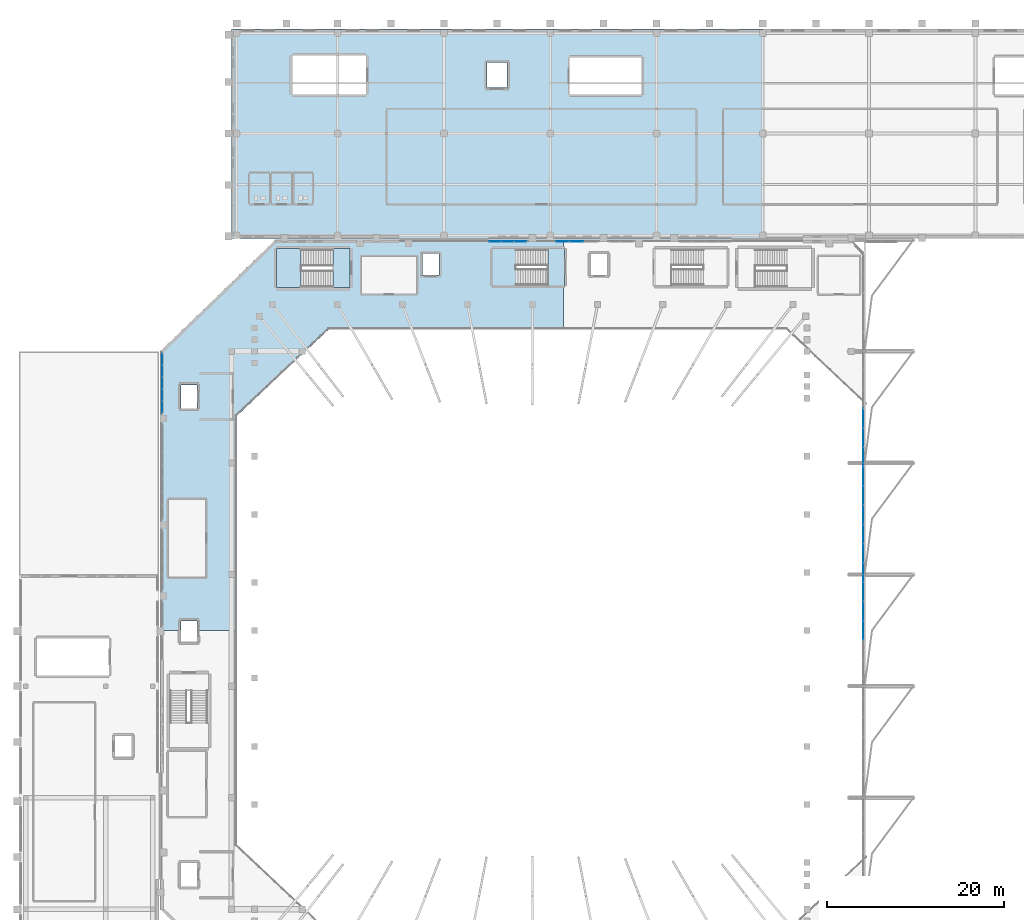
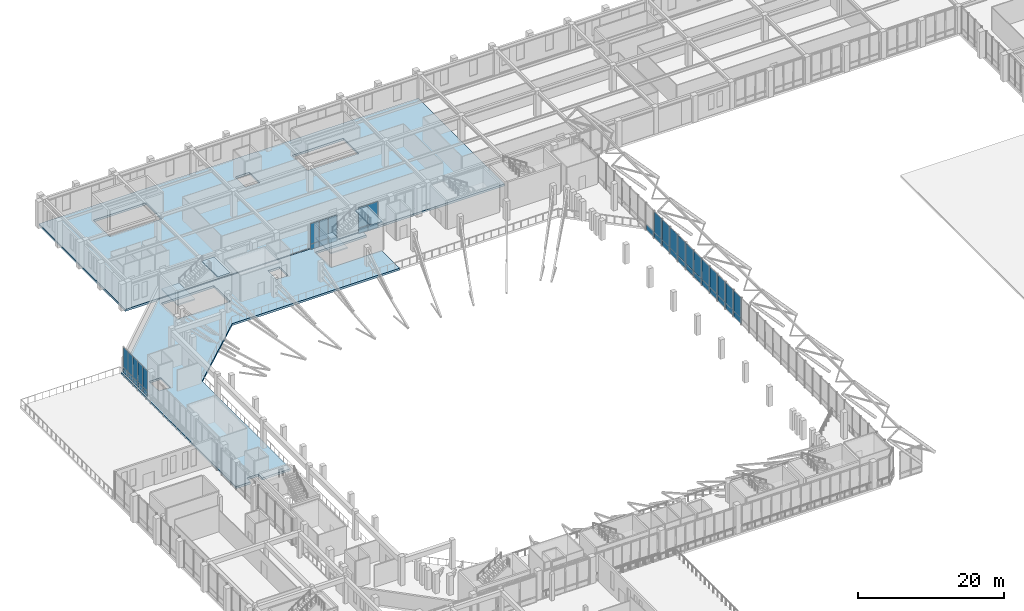
# One storey, part 47 of 79: 43 plates, 6 slabs, 6 elements without a shape of their own.
"""IFC4 building model written with IfcOpenShell, lengths in metres."""

from ifc_helpers import new_model, si_unit, derived_unit, direction, frame, origin, origin_2d, place, context, subcontext, project, spatial, polyline, rectangle, outline, extrude, material, layer, layer_set, type_object, element, aggregate, save


model = new_model("IFC4")

# Units and contexts
model_context = context("Model", 3, precision=1e-05, world=origin(), true_north=direction((0.0, 1.0)))
body_context = subcontext(model_context, "Body", "Model", "MODEL_VIEW")
ifc_project = project(units=[si_unit("LENGTHUNIT", "METRE"), si_unit("AREAUNIT", "SQUARE_METRE"), si_unit("VOLUMEUNIT", "CUBIC_METRE"), si_unit("PLANEANGLEUNIT", "RADIAN"), si_unit("MASSUNIT", "GRAM", prefix="KILO"), derived_unit("THERMALTRANSMITTANCEUNIT", [(si_unit("MASSUNIT", "GRAM", prefix="KILO"), 1), (si_unit("TIMEUNIT", "SECOND"), -3), (si_unit("THERMODYNAMICTEMPERATUREUNIT", "KELVIN"), -1)])], contexts=[model_context])

# Site, building, storey
site_placement = place(None, origin())
site = spatial("IfcSite", under=ifc_project, at=site_placement, CompositionType="ELEMENT")
building_placement = place(site_placement, origin())
building = spatial("IfcBuilding", under=site, at=building_placement, Name="Valcora Ridge Arena", CompositionType="ELEMENT")
storey_placement = place(building_placement, frame((0.0, 0.0, 16.199951171875)))
storey = spatial("IfcBuildingStorey", under=building, at=storey_placement, Name="L03", CompositionType="ELEMENT", Elevation=16.199951171875)

# Stair, slabs
ifc_material_1 = material(Name="Concrete C40/50", Category="concrete")
stair_type_1 = type_object("IfcStairType", Name="TY-STAIR-ES03-48", PredefinedType="HALF_TURN_STAIR", material=ifc_material_1)
stair_1_placement = place(storey_placement, origin())
stair_1 = element("IfcStair", 1, at=stair_1_placement, inside=storey, type_object=stair_type_1, Name="ES03-48 STR-ES-0012", PredefinedType="HALF_TURN_STAIR")
ifc_layer_1 = layer(ifc_material_1, 0.199951171875, Name="Concrete C40/50")
ifc_layer_set_1 = layer_set([ifc_layer_1], Name="Concrete C40/50")
slab_type_1 = type_object("IfcSlabType", Name="TY-LAND-ES03-48", PredefinedType="LANDING", material=ifc_layer_set_1)
slab_1_placement = place(storey_placement, frame((0.0, 0.0, 2.199951171875)))
slab_1 = element("IfcSlab", 2, at=slab_1_placement, type_object=slab_type_1, Name="ES03-48 landing 1", PredefinedType="LANDING", context=body_context, shape_type="SweptSolid", body=[
    extrude(outline(polyline([(53.44189453125, 103.001953125), (56.1201171875, 103.001953125), (56.1201171875, 107.197998046875), (53.44189453125, 107.197998046875), (53.44189453125, 103.001953125)])), origin(), (0.0, 0.0, 1.0), 0.2001953125),
])
slab_2_placement = place(storey_placement, frame((0.0, 0.0, 4.60009765625)))
slab_2 = element("IfcSlab", 3, at=slab_2_placement, type_object=slab_type_1, Name="ES03-48 landing 2", PredefinedType="LANDING", context=body_context, shape_type="SweptSolid", body=[
    extrude(outline(polyline([(59.719970703125, 103.001953125), (61.597900390625, 103.001953125), (61.597900390625, 107.197998046875), (59.719970703125, 107.197998046875), (59.719970703125, 103.001953125)])), origin(), (0.0, 0.0, 1.0), 0.199951171875),
])
aggregate(stair_1, [slab_1, slab_2])

stair_type_2 = type_object("IfcStairType", Name="TY-STAIR-ST03-48", PredefinedType="HALF_TURN_STAIR", material=ifc_material_1)
stair_2_placement = place(storey_placement, origin())
stair_2 = element("IfcStair", 4, at=stair_2_placement, inside=storey, type_object=stair_type_2, Name="ST03-48 STR-CR-0016", PredefinedType="HALF_TURN_STAIR")
ifc_layer_2 = layer(ifc_material_1, 0.199951171875, Name="Concrete C40/50")
ifc_layer_set_2 = layer_set([ifc_layer_2], Name="Concrete C40/50")
slab_type_2 = type_object("IfcSlabType", Name="TY-LAND-ST03-48", PredefinedType="LANDING", material=ifc_layer_set_2)
slab_3_placement = place(storey_placement, frame((0.0, 0.0, 2.199951171875)))
slab_3 = element("IfcSlab", 5, at=slab_3_placement, type_object=slab_type_2, Name="ST03-48 landing 1", PredefinedType="LANDING", context=body_context, shape_type="SweptSolid", body=[
    extrude(outline(polyline([(29.08203125, 102.802001953125), (31.8701171875, 102.802001953125), (31.8701171875, 107.197998046875), (29.08203125, 107.197998046875), (29.08203125, 102.802001953125)])), origin(), (0.0, 0.0, 1.0), 0.2001953125),
])
slab_4_placement = place(storey_placement, frame((0.0, 0.0, 4.60009765625)))
slab_4 = element("IfcSlab", 6, at=slab_4_placement, type_object=slab_type_2, Name="ST03-48 landing 2", PredefinedType="LANDING", context=body_context, shape_type="SweptSolid", body=[
    extrude(outline(polyline([(35.469970703125, 102.802001953125), (37.39794921875, 102.802001953125), (37.39794921875, 107.197998046875), (35.469970703125, 107.197998046875), (35.469970703125, 102.802001953125)])), origin(), (0.0, 0.0, 1.0), 0.199951171875),
])
aggregate(stair_2, [slab_3, slab_4])

# Curtain wall, plates
ifc_material_2 = material(Name="Anodised dark bronze architectural aluminium 6063-T6", Category="aluminium")
ifc_layer_3 = layer(ifc_material_2, 0.179931640625, Name="Anodised dark bronze architectural aluminium 6063-T6")
ifc_layer_set_3 = layer_set([ifc_layer_3], Name="Anodised dark bronze architectural aluminium 6063-T6")
curtain_wall_type_1 = type_object("IfcCurtainWallType", Name="TY-CURTAINWALL-CW-V1-GOTH-068X44", PredefinedType="NOTDEFINED", material=ifc_layer_set_3)
curtain_wall_1_placement = place(storey_placement, origin())
curtain_wall_1 = element("IfcCurtainWall", 7, at=curtain_wall_1_placement, inside=storey, type_object=curtain_wall_type_1, Name="CW-V1-GOTH-068X44 CW-0135", PredefinedType="NOTDEFINED")
ifc_material_3 = material(Name="Low-iron solar-control double glazing SHGC 0.28", Category="glass")
ifc_layer_4 = layer(ifc_material_3, 0.031982421875, Name="Low-iron solar-control double glazing SHGC 0.28")
ifc_layer_set_4 = layer_set([ifc_layer_4], Name="Low-iron solar-control double glazing SHGC 0.28")
plate_type_1 = type_object("IfcPlateType", Name="TY-PLT-CWP-1262X0860", PredefinedType="CURTAIN_PANEL", material=ifc_layer_set_4)
plate_1_placement = place(storey_placement, frame((16.199951171875, 89.3310546875, 0.06005859375), z_axis=(0.0, 0.0, 1.0), x_axis=(0.0, 1.0, 0.0)))
plate_1 = element("IfcPlate", 8, at=plate_1_placement, type_object=plate_type_1, Name="CW-0135/P00-00", PredefinedType="CURTAIN_PANEL", context=body_context, shape_type="SweptSolid", body=[
    extrude(rectangle(XDim=1.261962890625, YDim=0.031982421875, at=origin_2d()), origin(), (0.0, 0.0, 1.0), 0.860107421875),
])
plate_2_placement = place(storey_placement, frame((16.199951171875, 94.708984375, 0.06005859375), z_axis=(0.0, 0.0, 1.0), x_axis=(0.0, 1.0, 0.0)))
plate_2 = element("IfcPlate", 9, at=plate_2_placement, type_object=plate_type_1, Name="CW-0135/P04-00", PredefinedType="CURTAIN_PANEL", context=body_context, shape_type="SweptSolid", body=[
    extrude(rectangle(XDim=1.261962890625, YDim=0.031982421875, at=origin_2d()), origin(), (0.0, 0.0, 1.0), 0.860107421875),
])
ifc_layer_5 = layer(ifc_material_3, 0.031982421875, Name="Low-iron solar-control double glazing SHGC 0.28")
ifc_layer_set_5 = layer_set([ifc_layer_5], Name="Low-iron solar-control double glazing SHGC 0.28")
plate_type_2 = type_object("IfcPlateType", Name="TY-PLT-CWP-1262X3400", PredefinedType="CURTAIN_PANEL", material=ifc_layer_set_5)
plate_3_placement = place(storey_placement, frame((16.199951171875, 89.3310546875, 0.97998046875), z_axis=(0.0, 0.0, 1.0), x_axis=(0.0, 1.0, 0.0)))
plate_3 = element("IfcPlate", 10, at=plate_3_placement, type_object=plate_type_2, Name="CW-0135/P00-01", PredefinedType="CURTAIN_PANEL", context=body_context, shape_type="SweptSolid", body=[
    extrude(rectangle(XDim=1.261962890625, YDim=0.031982421875, at=origin_2d()), origin(), (0.0, 0.0, 1.0), 3.39990234375),
])
plate_4_placement = place(storey_placement, frame((16.199951171875, 94.708984375, 0.97998046875), z_axis=(0.0, 0.0, 1.0), x_axis=(0.0, 1.0, 0.0)))
plate_4 = element("IfcPlate", 11, at=plate_4_placement, type_object=plate_type_2, Name="CW-0135/P04-01", PredefinedType="CURTAIN_PANEL", context=body_context, shape_type="SweptSolid", body=[
    extrude(rectangle(XDim=1.261962890625, YDim=0.031982421875, at=origin_2d()), origin(), (0.0, 0.0, 1.0), 3.39990234375),
])
ifc_layer_6 = layer(ifc_material_3, 0.031982421875, Name="Low-iron solar-control double glazing SHGC 0.28")
ifc_layer_set_6 = layer_set([ifc_layer_6], Name="Low-iron solar-control double glazing SHGC 0.28")
plate_type_3 = type_object("IfcPlateType", Name="TY-PLT-CWP-1292X0860", PredefinedType="CURTAIN_PANEL", material=ifc_layer_set_6)
plate_5_placement = place(storey_placement, frame((16.199951171875, 90.66796875, 0.06005859375), z_axis=(0.0, 0.0, 1.0), x_axis=(0.0, 1.0, 0.0)))
plate_5 = element("IfcPlate", 12, at=plate_5_placement, type_object=plate_type_3, Name="CW-0135/P01-00", PredefinedType="CURTAIN_PANEL", context=body_context, shape_type="SweptSolid", body=[
    extrude(rectangle(XDim=1.2919921875, YDim=0.031982421875, at=origin_2d()), origin(), (0.0, 0.0, 1.0), 0.860107421875),
])
plate_6_placement = place(storey_placement, frame((16.199951171875, 92.02001953125, 0.06005859375), z_axis=(0.0, 0.0, 1.0), x_axis=(0.0, 1.0, 0.0)))
plate_6 = element("IfcPlate", 13, at=plate_6_placement, type_object=plate_type_3, Name="CW-0135/P02-00", PredefinedType="CURTAIN_PANEL", context=body_context, shape_type="SweptSolid", body=[
    extrude(rectangle(XDim=1.2919921875, YDim=0.031982421875, at=origin_2d()), origin(), (0.0, 0.0, 1.0), 0.860107421875),
])
plate_7_placement = place(storey_placement, frame((16.199951171875, 93.3720703125, 0.06005859375), z_axis=(0.0, 0.0, 1.0), x_axis=(0.0, 1.0, 0.0)))
plate_7 = element("IfcPlate", 14, at=plate_7_placement, type_object=plate_type_3, Name="CW-0135/P03-00", PredefinedType="CURTAIN_PANEL", context=body_context, shape_type="SweptSolid", body=[
    extrude(rectangle(XDim=1.2919921875, YDim=0.031982421875, at=origin_2d()), origin(), (0.0, 0.0, 1.0), 0.860107421875),
])
ifc_layer_7 = layer(ifc_material_3, 0.031982421875, Name="Low-iron solar-control double glazing SHGC 0.28")
ifc_layer_set_7 = layer_set([ifc_layer_7], Name="Low-iron solar-control double glazing SHGC 0.28")
plate_type_4 = type_object("IfcPlateType", Name="TY-PLT-CWP-1292X3400", PredefinedType="CURTAIN_PANEL", material=ifc_layer_set_7)
plate_8_placement = place(storey_placement, frame((16.199951171875, 90.66796875, 0.97998046875), z_axis=(0.0, 0.0, 1.0), x_axis=(0.0, 1.0, 0.0)))
plate_8 = element("IfcPlate", 15, at=plate_8_placement, type_object=plate_type_4, Name="CW-0135/P01-01", PredefinedType="CURTAIN_PANEL", context=body_context, shape_type="SweptSolid", body=[
    extrude(rectangle(XDim=1.2919921875, YDim=0.031982421875, at=origin_2d()), origin(), (0.0, 0.0, 1.0), 3.39990234375),
])
plate_9_placement = place(storey_placement, frame((16.199951171875, 92.02001953125, 0.97998046875), z_axis=(0.0, 0.0, 1.0), x_axis=(0.0, 1.0, 0.0)))
plate_9 = element("IfcPlate", 16, at=plate_9_placement, type_object=plate_type_4, Name="CW-0135/P02-01", PredefinedType="CURTAIN_PANEL", context=body_context, shape_type="SweptSolid", body=[
    extrude(rectangle(XDim=1.2919921875, YDim=0.031982421875, at=origin_2d()), origin(), (0.0, 0.0, 1.0), 3.39990234375),
])
plate_10_placement = place(storey_placement, frame((16.199951171875, 93.3720703125, 0.97998046875), z_axis=(0.0, 0.0, 1.0), x_axis=(0.0, 1.0, 0.0)))
plate_10 = element("IfcPlate", 17, at=plate_10_placement, type_object=plate_type_4, Name="CW-0135/P03-01", PredefinedType="CURTAIN_PANEL", context=body_context, shape_type="SweptSolid", body=[
    extrude(rectangle(XDim=1.2919921875, YDim=0.031982421875, at=origin_2d()), origin(), (0.0, 0.0, 1.0), 3.39990234375),
])
aggregate(curtain_wall_1, [plate_1, plate_3, plate_5, plate_8, plate_6, plate_9, plate_7, plate_10, plate_2, plate_4])

ifc_layer_8 = layer(ifc_material_2, 0.179931640625, Name="Anodised dark bronze architectural aluminium 6063-T6")
ifc_layer_set_8 = layer_set([ifc_layer_8], Name="Anodised dark bronze architectural aluminium 6063-T6")
curtain_wall_type_2 = type_object("IfcCurtainWallType", Name="TY-CURTAINWALL-CW-V1-GOTH-043X44", PredefinedType="NOTDEFINED", material=ifc_layer_set_8)
curtain_wall_2_placement = place(storey_placement, origin())
curtain_wall_2 = element("IfcCurtainWall", 18, at=curtain_wall_2_placement, inside=storey, type_object=curtain_wall_type_2, Name="CW-V1-GOTH-043X44 CW-0142", PredefinedType="NOTDEFINED")
ifc_layer_9 = layer(ifc_material_3, 0.031982421875, Name="Low-iron solar-control double glazing SHGC 0.28")
ifc_layer_set_9 = layer_set([ifc_layer_9], Name="Low-iron solar-control double glazing SHGC 0.28")
plate_type_5 = type_object("IfcPlateType", Name="TY-PLT-CWP-1347X0860", PredefinedType="CURTAIN_PANEL", material=ifc_layer_set_9)
plate_11_placement = place(storey_placement, frame((53.783447265625, 108.0, 0.06005859375), z_axis=(0.0, 0.0, 1.0), x_axis=(1.0, 0.0, 0.0)))
plate_11 = element("IfcPlate", 19, at=plate_11_placement, type_object=plate_type_5, Name="CW-0142/P00-00", PredefinedType="CURTAIN_PANEL", context=body_context, shape_type="SweptSolid", body=[
    extrude(rectangle(XDim=1.346923828125, YDim=0.031982421875, at=origin_2d()), origin(), (0.0, 0.0, 1.0), 0.860107421875),
])
plate_12_placement = place(storey_placement, frame((56.62646484375, 108.0, 0.06005859375), z_axis=(0.0, 0.0, 1.0), x_axis=(1.0, 0.0, 0.0)))
plate_12 = element("IfcPlate", 20, at=plate_12_placement, type_object=plate_type_5, Name="CW-0142/P02-00", PredefinedType="CURTAIN_PANEL", context=body_context, shape_type="SweptSolid", body=[
    extrude(rectangle(XDim=1.346923828125, YDim=0.031982421875, at=origin_2d()), origin(), (0.0, 0.0, 1.0), 0.860107421875),
])
ifc_layer_10 = layer(ifc_material_3, 0.031982421875, Name="Low-iron solar-control double glazing SHGC 0.28")
ifc_layer_set_10 = layer_set([ifc_layer_10], Name="Low-iron solar-control double glazing SHGC 0.28")
plate_type_6 = type_object("IfcPlateType", Name="TY-PLT-CWP-1347X3400", PredefinedType="CURTAIN_PANEL", material=ifc_layer_set_10)
plate_13_placement = place(storey_placement, frame((53.783447265625, 108.0, 0.97998046875), z_axis=(0.0, 0.0, 1.0), x_axis=(1.0, 0.0, 0.0)))
plate_13 = element("IfcPlate", 21, at=plate_13_placement, type_object=plate_type_6, Name="CW-0142/P00-01", PredefinedType="CURTAIN_PANEL", context=body_context, shape_type="SweptSolid", body=[
    extrude(rectangle(XDim=1.346923828125, YDim=0.031982421875, at=origin_2d()), origin(), (0.0, 0.0, 1.0), 3.39990234375),
])
plate_14_placement = place(storey_placement, frame((56.62646484375, 108.0, 0.97998046875), z_axis=(0.0, 0.0, 1.0), x_axis=(1.0, 0.0, 0.0)))
plate_14 = element("IfcPlate", 22, at=plate_14_placement, type_object=plate_type_6, Name="CW-0142/P02-01", PredefinedType="CURTAIN_PANEL", context=body_context, shape_type="SweptSolid", body=[
    extrude(rectangle(XDim=1.346923828125, YDim=0.031982421875, at=origin_2d()), origin(), (0.0, 0.0, 1.0), 3.39990234375),
])
ifc_layer_11 = layer(ifc_material_3, 0.031982421875, Name="Low-iron solar-control double glazing SHGC 0.28")
ifc_layer_set_11 = layer_set([ifc_layer_11], Name="Low-iron solar-control double glazing SHGC 0.28")
plate_type_7 = type_object("IfcPlateType", Name="TY-PLT-CWP-1376X0860", PredefinedType="CURTAIN_PANEL", material=ifc_layer_set_11)
plate_15_placement = place(storey_placement, frame((55.205078125, 108.0, 0.06005859375), z_axis=(0.0, 0.0, 1.0), x_axis=(1.0, 0.0, 0.0)))
plate_15 = element("IfcPlate", 23, at=plate_15_placement, type_object=plate_type_7, Name="CW-0142/P01-00", PredefinedType="CURTAIN_PANEL", context=body_context, shape_type="SweptSolid", body=[
    extrude(rectangle(XDim=1.3759765625, YDim=0.031982421875, at=origin_2d()), origin(), (0.0, 0.0, 1.0), 0.860107421875),
])
ifc_layer_12 = layer(ifc_material_3, 0.031982421875, Name="Low-iron solar-control double glazing SHGC 0.28")
ifc_layer_set_12 = layer_set([ifc_layer_12], Name="Low-iron solar-control double glazing SHGC 0.28")
plate_type_8 = type_object("IfcPlateType", Name="TY-PLT-CWP-1376X3400", PredefinedType="CURTAIN_PANEL", material=ifc_layer_set_12)
plate_16_placement = place(storey_placement, frame((55.205078125, 108.0, 0.97998046875), z_axis=(0.0, 0.0, 1.0), x_axis=(1.0, 0.0, 0.0)))
plate_16 = element("IfcPlate", 24, at=plate_16_placement, type_object=plate_type_8, Name="CW-0142/P01-01", PredefinedType="CURTAIN_PANEL", context=body_context, shape_type="SweptSolid", body=[
    extrude(rectangle(XDim=1.3759765625, YDim=0.031982421875, at=origin_2d()), origin(), (0.0, 0.0, 1.0), 3.39990234375),
])
aggregate(curtain_wall_2, [plate_11, plate_13, plate_15, plate_16, plate_12, plate_14])

ifc_layer_13 = layer(ifc_material_2, 0.179931640625, Name="Anodised dark bronze architectural aluminium 6063-T6")
ifc_layer_set_13 = layer_set([ifc_layer_13], Name="Anodised dark bronze architectural aluminium 6063-T6")
curtain_wall_type_3 = type_object("IfcCurtainWallType", Name="TY-CURTAINWALL-CW-V1-GOTH-047X44", PredefinedType="NOTDEFINED", material=ifc_layer_set_13)
curtain_wall_3_placement = place(storey_placement, origin())
curtain_wall_3 = element("IfcCurtainWall", 25, at=curtain_wall_3_placement, inside=storey, type_object=curtain_wall_type_3, Name="CW-V1-GOTH-047X44 CW-0143", PredefinedType="NOTDEFINED")
ifc_layer_14 = layer(ifc_material_3, 0.031982421875, Name="Low-iron solar-control double glazing SHGC 0.28")
ifc_layer_set_14 = layer_set([ifc_layer_14], Name="Low-iron solar-control double glazing SHGC 0.28")
plate_type_9 = type_object("IfcPlateType", Name="TY-PLT-CWP-1492X0860", PredefinedType="CURTAIN_PANEL", material=ifc_layer_set_14)
plate_17_placement = place(storey_placement, frame((61.4208984375, 108.0, 0.06005859375), z_axis=(0.0, 0.0, 1.0), x_axis=(1.0, 0.0, 0.0)))
plate_17 = element("IfcPlate", 26, at=plate_17_placement, type_object=plate_type_9, Name="CW-0143/P00-00", PredefinedType="CURTAIN_PANEL", context=body_context, shape_type="SweptSolid", body=[
    extrude(rectangle(XDim=1.491943359375, YDim=0.031982421875, at=origin_2d()), origin(), (0.0, 0.0, 1.0), 0.860107421875),
])
ifc_layer_15 = layer(ifc_material_3, 0.031982421875, Name="Low-iron solar-control double glazing SHGC 0.28")
ifc_layer_set_15 = layer_set([ifc_layer_15], Name="Low-iron solar-control double glazing SHGC 0.28")
plate_type_10 = type_object("IfcPlateType", Name="TY-PLT-CWP-1492X3400", PredefinedType="CURTAIN_PANEL", material=ifc_layer_set_15)
plate_18_placement = place(storey_placement, frame((61.4208984375, 108.0, 0.97998046875), z_axis=(0.0, 0.0, 1.0), x_axis=(1.0, 0.0, 0.0)))
plate_18 = element("IfcPlate", 27, at=plate_18_placement, type_object=plate_type_10, Name="CW-0143/P00-01", PredefinedType="CURTAIN_PANEL", context=body_context, shape_type="SweptSolid", body=[
    extrude(rectangle(XDim=1.491943359375, YDim=0.031982421875, at=origin_2d()), origin(), (0.0, 0.0, 1.0), 3.39990234375),
])
ifc_layer_16 = layer(ifc_material_3, 0.031982421875, Name="Low-iron solar-control double glazing SHGC 0.28")
ifc_layer_set_16 = layer_set([ifc_layer_16], Name="Low-iron solar-control double glazing SHGC 0.28")
plate_type_11 = type_object("IfcPlateType", Name="TY-PLT-CWP-1521X0860", PredefinedType="CURTAIN_PANEL", material=ifc_layer_set_16)
plate_19_placement = place(storey_placement, frame((62.987548828125, 108.0, 0.06005859375), z_axis=(0.0, 0.0, 1.0), x_axis=(1.0, 0.0, 0.0)))
plate_19 = element("IfcPlate", 28, at=plate_19_placement, type_object=plate_type_11, Name="CW-0143/P01-00", PredefinedType="CURTAIN_PANEL", context=body_context, shape_type="SweptSolid", body=[
    extrude(rectangle(XDim=1.52099609375, YDim=0.031982421875, at=origin_2d()), origin(), (0.0, 0.0, 1.0), 0.860107421875),
])
ifc_layer_17 = layer(ifc_material_3, 0.031982421875, Name="Low-iron solar-control double glazing SHGC 0.28")
ifc_layer_set_17 = layer_set([ifc_layer_17], Name="Low-iron solar-control double glazing SHGC 0.28")
plate_type_12 = type_object("IfcPlateType", Name="TY-PLT-CWP-1521X3400", PredefinedType="CURTAIN_PANEL", material=ifc_layer_set_17)
plate_20_placement = place(storey_placement, frame((62.987548828125, 108.0, 0.97998046875), z_axis=(0.0, 0.0, 1.0), x_axis=(1.0, 0.0, 0.0)))
plate_20 = element("IfcPlate", 29, at=plate_20_placement, type_object=plate_type_12, Name="CW-0143/P01-01", PredefinedType="CURTAIN_PANEL", context=body_context, shape_type="SweptSolid", body=[
    extrude(rectangle(XDim=1.52099609375, YDim=0.031982421875, at=origin_2d()), origin(), (0.0, 0.0, 1.0), 3.39990234375),
])
aggregate(curtain_wall_3, [plate_17, plate_18, plate_19, plate_20])

ifc_layer_18 = layer(ifc_material_2, 0.14990234375, Name="Anodised dark bronze architectural aluminium 6063-T6")
ifc_layer_set_18 = layer_set([ifc_layer_18], Name="Anodised dark bronze architectural aluminium 6063-T6")
curtain_wall_type_4 = type_object("IfcCurtainWallType", Name="TY-CURTAINWALL-CW-V1-EAST-849X44", PredefinedType="NOTDEFINED", material=ifc_layer_set_18)
curtain_wall_4_placement = place(storey_placement, origin())
curtain_wall_4 = element("IfcCurtainWall", 30, at=curtain_wall_4_placement, inside=storey, type_object=curtain_wall_type_4, Name="CW-V1-EAST-849X44 CW-0147", PredefinedType="NOTDEFINED")
ifc_layer_19 = layer(ifc_material_3, 0.028076171875, Name="Low-iron solar-control double glazing SHGC 0.28")
ifc_layer_set_19 = layer_set([ifc_layer_19], Name="Low-iron solar-control double glazing SHGC 0.28")
plate_type_13 = type_object("IfcPlateType", Name="TY-PLT-CWP-2126X0875", PredefinedType="CURTAIN_PANEL", material=ifc_layer_set_19)
plate_21_placement = place(storey_placement, frame((95.35009765625, 66.27685546875, 0.050048828125), z_axis=(0.0, 0.0, 1.0), x_axis=(0.0, 1.0, 0.0)))
plate_21 = element("IfcPlate", 31, at=plate_21_placement, type_object=plate_type_13, Name="CW-0147/P20-00", PredefinedType="CURTAIN_PANEL", context=body_context, shape_type="SweptSolid", body=[
    extrude(rectangle(XDim=2.1259765625, YDim=0.028076171875, at=origin_2d()), origin(), (0.0, 0.0, 1.0), 0.875),
])
plate_22_placement = place(storey_placement, frame((95.35009765625, 72.806884765625, 0.050048828125), z_axis=(0.0, 0.0, 1.0), x_axis=(0.0, 1.0, 0.0)))
plate_22 = element("IfcPlate", 32, at=plate_22_placement, type_object=plate_type_13, Name="CW-0147/P23-00", PredefinedType="CURTAIN_PANEL", context=body_context, shape_type="SweptSolid", body=[
    extrude(rectangle(XDim=2.1259765625, YDim=0.028076171875, at=origin_2d()), origin(), (0.0, 0.0, 1.0), 0.875),
])
plate_23_placement = place(storey_placement, frame((95.35009765625, 81.513916015625, 0.050048828125), z_axis=(0.0, 0.0, 1.0), x_axis=(0.0, 1.0, 0.0)))
plate_23 = element("IfcPlate", 33, at=plate_23_placement, type_object=plate_type_13, Name="CW-0147/P27-00", PredefinedType="CURTAIN_PANEL", context=body_context, shape_type="SweptSolid", body=[
    extrude(rectangle(XDim=2.1259765625, YDim=0.028076171875, at=origin_2d()), origin(), (0.0, 0.0, 1.0), 0.875),
])
ifc_layer_20 = layer(ifc_material_3, 0.028076171875, Name="Low-iron solar-control double glazing SHGC 0.28")
ifc_layer_set_20 = layer_set([ifc_layer_20], Name="Low-iron solar-control double glazing SHGC 0.28")
plate_type_14 = type_object("IfcPlateType", Name="TY-PLT-CWP-2126X3415", PredefinedType="CURTAIN_PANEL", material=ifc_layer_set_20)
plate_24_placement = place(storey_placement, frame((95.35009765625, 66.27685546875, 0.97509765625), z_axis=(0.0, 0.0, 1.0), x_axis=(0.0, 1.0, 0.0)))
plate_24 = element("IfcPlate", 34, at=plate_24_placement, type_object=plate_type_14, Name="CW-0147/P20-01", PredefinedType="CURTAIN_PANEL", context=body_context, shape_type="SweptSolid", body=[
    extrude(rectangle(XDim=2.1259765625, YDim=0.028076171875, at=origin_2d()), origin(), (0.0, 0.0, 1.0), 3.4150390625),
])
plate_25_placement = place(storey_placement, frame((95.35009765625, 72.806884765625, 0.97509765625), z_axis=(0.0, 0.0, 1.0), x_axis=(0.0, 1.0, 0.0)))
plate_25 = element("IfcPlate", 35, at=plate_25_placement, type_object=plate_type_14, Name="CW-0147/P23-01", PredefinedType="CURTAIN_PANEL", context=body_context, shape_type="SweptSolid", body=[
    extrude(rectangle(XDim=2.1259765625, YDim=0.028076171875, at=origin_2d()), origin(), (0.0, 0.0, 1.0), 3.4150390625),
])
plate_26_placement = place(storey_placement, frame((95.35009765625, 81.513916015625, 0.97509765625), z_axis=(0.0, 0.0, 1.0), x_axis=(0.0, 1.0, 0.0)))
plate_26 = element("IfcPlate", 36, at=plate_26_placement, type_object=plate_type_14, Name="CW-0147/P27-01", PredefinedType="CURTAIN_PANEL", context=body_context, shape_type="SweptSolid", body=[
    extrude(rectangle(XDim=2.1259765625, YDim=0.028076171875, at=origin_2d()), origin(), (0.0, 0.0, 1.0), 3.4150390625),
])
ifc_layer_21 = layer(ifc_material_3, 0.028076171875, Name="Low-iron solar-control double glazing SHGC 0.28")
ifc_layer_set_21 = layer_set([ifc_layer_21], Name="Low-iron solar-control double glazing SHGC 0.28")
plate_type_15 = type_object("IfcPlateType", Name="TY-PLT-CWP-2127X0875", PredefinedType="CURTAIN_PANEL", material=ifc_layer_set_21)
plate_27_placement = place(storey_placement, frame((95.35009765625, 64.100341796875, 0.050048828125), z_axis=(0.0, 0.0, 1.0), x_axis=(0.0, 1.0, 0.0)))
plate_27 = element("IfcPlate", 37, at=plate_27_placement, type_object=plate_type_15, Name="CW-0147/P19-00", PredefinedType="CURTAIN_PANEL", context=body_context, shape_type="SweptSolid", body=[
    extrude(rectangle(XDim=2.126953125, YDim=0.028076171875, at=origin_2d()), origin(), (0.0, 0.0, 1.0), 0.875),
])
plate_28_placement = place(storey_placement, frame((95.35009765625, 68.453369140625, 0.050048828125), z_axis=(0.0, 0.0, 1.0), x_axis=(0.0, 1.0, 0.0)))
plate_28 = element("IfcPlate", 38, at=plate_28_placement, type_object=plate_type_15, Name="CW-0147/P21-00", PredefinedType="CURTAIN_PANEL", context=body_context, shape_type="SweptSolid", body=[
    extrude(rectangle(XDim=2.126953125, YDim=0.028076171875, at=origin_2d()), origin(), (0.0, 0.0, 1.0), 0.875),
])
plate_29_placement = place(storey_placement, frame((95.35009765625, 70.63037109375, 0.050048828125), z_axis=(0.0, 0.0, 1.0), x_axis=(0.0, 1.0, 0.0)))
plate_29 = element("IfcPlate", 39, at=plate_29_placement, type_object=plate_type_15, Name="CW-0147/P22-00", PredefinedType="CURTAIN_PANEL", context=body_context, shape_type="SweptSolid", body=[
    extrude(rectangle(XDim=2.126953125, YDim=0.028076171875, at=origin_2d()), origin(), (0.0, 0.0, 1.0), 0.875),
])
plate_30_placement = place(storey_placement, frame((95.35009765625, 74.9833984375, 0.050048828125), z_axis=(0.0, 0.0, 1.0), x_axis=(0.0, 1.0, 0.0)))
plate_30 = element("IfcPlate", 40, at=plate_30_placement, type_object=plate_type_15, Name="CW-0147/P24-00", PredefinedType="CURTAIN_PANEL", context=body_context, shape_type="SweptSolid", body=[
    extrude(rectangle(XDim=2.126953125, YDim=0.028076171875, at=origin_2d()), origin(), (0.0, 0.0, 1.0), 0.875),
])
plate_31_placement = place(storey_placement, frame((95.35009765625, 77.160400390625, 0.050048828125), z_axis=(0.0, 0.0, 1.0), x_axis=(0.0, 1.0, 0.0)))
plate_31 = element("IfcPlate", 41, at=plate_31_placement, type_object=plate_type_15, Name="CW-0147/P25-00", PredefinedType="CURTAIN_PANEL", context=body_context, shape_type="SweptSolid", body=[
    extrude(rectangle(XDim=2.126953125, YDim=0.028076171875, at=origin_2d()), origin(), (0.0, 0.0, 1.0), 0.875),
])
plate_32_placement = place(storey_placement, frame((95.35009765625, 79.33740234375, 0.050048828125), z_axis=(0.0, 0.0, 1.0), x_axis=(0.0, 1.0, 0.0)))
plate_32 = element("IfcPlate", 42, at=plate_32_placement, type_object=plate_type_15, Name="CW-0147/P26-00", PredefinedType="CURTAIN_PANEL", context=body_context, shape_type="SweptSolid", body=[
    extrude(rectangle(XDim=2.126953125, YDim=0.028076171875, at=origin_2d()), origin(), (0.0, 0.0, 1.0), 0.875),
])
plate_33_placement = place(storey_placement, frame((95.35009765625, 83.690185546875, 0.050048828125), z_axis=(0.0, 0.0, 1.0), x_axis=(0.0, 1.0, 0.0)))
plate_33 = element("IfcPlate", 43, at=plate_33_placement, type_object=plate_type_15, Name="CW-0147/P28-00", PredefinedType="CURTAIN_PANEL", context=body_context, shape_type="SweptSolid", body=[
    extrude(rectangle(XDim=2.126953125, YDim=0.028076171875, at=origin_2d()), origin(), (0.0, 0.0, 1.0), 0.875),
])
plate_34_placement = place(storey_placement, frame((95.35009765625, 85.8671875, 0.050048828125), z_axis=(0.0, 0.0, 1.0), x_axis=(0.0, 1.0, 0.0)))
plate_34 = element("IfcPlate", 44, at=plate_34_placement, type_object=plate_type_15, Name="CW-0147/P29-00", PredefinedType="CURTAIN_PANEL", context=body_context, shape_type="SweptSolid", body=[
    extrude(rectangle(XDim=2.126953125, YDim=0.028076171875, at=origin_2d()), origin(), (0.0, 0.0, 1.0), 0.875),
])
plate_35_placement = place(storey_placement, frame((95.35009765625, 88.044189453125, 0.050048828125), z_axis=(0.0, 0.0, 1.0), x_axis=(0.0, 1.0, 0.0)))
plate_35 = element("IfcPlate", 45, at=plate_35_placement, type_object=plate_type_15, Name="CW-0147/P30-00", PredefinedType="CURTAIN_PANEL", context=body_context, shape_type="SweptSolid", body=[
    extrude(rectangle(XDim=2.126953125, YDim=0.028076171875, at=origin_2d()), origin(), (0.0, 0.0, 1.0), 0.875),
])
ifc_layer_22 = layer(ifc_material_3, 0.028076171875, Name="Low-iron solar-control double glazing SHGC 0.28")
ifc_layer_set_22 = layer_set([ifc_layer_22], Name="Low-iron solar-control double glazing SHGC 0.28")
plate_type_16 = type_object("IfcPlateType", Name="TY-PLT-CWP-2127X3415", PredefinedType="CURTAIN_PANEL", material=ifc_layer_set_22)
plate_36_placement = place(storey_placement, frame((95.35009765625, 64.100341796875, 0.97509765625), z_axis=(0.0, 0.0, 1.0), x_axis=(0.0, 1.0, 0.0)))
plate_36 = element("IfcPlate", 46, at=plate_36_placement, type_object=plate_type_16, Name="CW-0147/P19-01", PredefinedType="CURTAIN_PANEL", context=body_context, shape_type="SweptSolid", body=[
    extrude(rectangle(XDim=2.126953125, YDim=0.028076171875, at=origin_2d()), origin(), (0.0, 0.0, 1.0), 3.4150390625),
])
plate_37_placement = place(storey_placement, frame((95.35009765625, 68.453369140625, 0.97509765625), z_axis=(0.0, 0.0, 1.0), x_axis=(0.0, 1.0, 0.0)))
plate_37 = element("IfcPlate", 47, at=plate_37_placement, type_object=plate_type_16, Name="CW-0147/P21-01", PredefinedType="CURTAIN_PANEL", context=body_context, shape_type="SweptSolid", body=[
    extrude(rectangle(XDim=2.126953125, YDim=0.028076171875, at=origin_2d()), origin(), (0.0, 0.0, 1.0), 3.4150390625),
])
plate_38_placement = place(storey_placement, frame((95.35009765625, 70.63037109375, 0.97509765625), z_axis=(0.0, 0.0, 1.0), x_axis=(0.0, 1.0, 0.0)))
plate_38 = element("IfcPlate", 48, at=plate_38_placement, type_object=plate_type_16, Name="CW-0147/P22-01", PredefinedType="CURTAIN_PANEL", context=body_context, shape_type="SweptSolid", body=[
    extrude(rectangle(XDim=2.126953125, YDim=0.028076171875, at=origin_2d()), origin(), (0.0, 0.0, 1.0), 3.4150390625),
])
plate_39_placement = place(storey_placement, frame((95.35009765625, 74.9833984375, 0.97509765625), z_axis=(0.0, 0.0, 1.0), x_axis=(0.0, 1.0, 0.0)))
plate_39 = element("IfcPlate", 49, at=plate_39_placement, type_object=plate_type_16, Name="CW-0147/P24-01", PredefinedType="CURTAIN_PANEL", context=body_context, shape_type="SweptSolid", body=[
    extrude(rectangle(XDim=2.126953125, YDim=0.028076171875, at=origin_2d()), origin(), (0.0, 0.0, 1.0), 3.4150390625),
])
plate_40_placement = place(storey_placement, frame((95.35009765625, 77.160400390625, 0.97509765625), z_axis=(0.0, 0.0, 1.0), x_axis=(0.0, 1.0, 0.0)))
plate_40 = element("IfcPlate", 50, at=plate_40_placement, type_object=plate_type_16, Name="CW-0147/P25-01", PredefinedType="CURTAIN_PANEL", context=body_context, shape_type="SweptSolid", body=[
    extrude(rectangle(XDim=2.126953125, YDim=0.028076171875, at=origin_2d()), origin(), (0.0, 0.0, 1.0), 3.4150390625),
])
plate_41_placement = place(storey_placement, frame((95.35009765625, 79.33740234375, 0.97509765625), z_axis=(0.0, 0.0, 1.0), x_axis=(0.0, 1.0, 0.0)))
plate_41 = element("IfcPlate", 51, at=plate_41_placement, type_object=plate_type_16, Name="CW-0147/P26-01", PredefinedType="CURTAIN_PANEL", context=body_context, shape_type="SweptSolid", body=[
    extrude(rectangle(XDim=2.126953125, YDim=0.028076171875, at=origin_2d()), origin(), (0.0, 0.0, 1.0), 3.4150390625),
])
plate_42_placement = place(storey_placement, frame((95.35009765625, 83.690185546875, 0.97509765625), z_axis=(0.0, 0.0, 1.0), x_axis=(0.0, 1.0, 0.0)))
plate_42 = element("IfcPlate", 52, at=plate_42_placement, type_object=plate_type_16, Name="CW-0147/P28-01", PredefinedType="CURTAIN_PANEL", context=body_context, shape_type="SweptSolid", body=[
    extrude(rectangle(XDim=2.126953125, YDim=0.028076171875, at=origin_2d()), origin(), (0.0, 0.0, 1.0), 3.4150390625),
])
plate_43_placement = place(storey_placement, frame((95.35009765625, 85.8671875, 0.97509765625), z_axis=(0.0, 0.0, 1.0), x_axis=(0.0, 1.0, 0.0)))
plate_43 = element("IfcPlate", 53, at=plate_43_placement, type_object=plate_type_16, Name="CW-0147/P29-01", PredefinedType="CURTAIN_PANEL", context=body_context, shape_type="SweptSolid", body=[
    extrude(rectangle(XDim=2.126953125, YDim=0.028076171875, at=origin_2d()), origin(), (0.0, 0.0, 1.0), 3.4150390625),
])
aggregate(curtain_wall_4, [plate_27, plate_36, plate_21, plate_24, plate_28, plate_37, plate_29, plate_38, plate_22, plate_25, plate_30, plate_39, plate_31, plate_40, plate_32, plate_41, plate_23, plate_26, plate_33, plate_42, plate_34, plate_43, plate_35])

# Slabs
ifc_layer_23 = layer(ifc_material_1, 0.35009765625, Name="Concrete C40/50")
ifc_layer_set_23 = layer_set([ifc_layer_23], Name="Concrete C40/50")
slab_type_3 = type_object("IfcSlabType", Name="TY-SLAB-SL-SUIT-350-NW", PredefinedType="FLOOR", material=ifc_layer_set_23)
slab_5_placement = place(storey_placement, frame((0.0, 0.0, -0.349853515625)))
element("IfcSlab", 54, at=slab_5_placement, inside=storey, type_object=slab_type_3, Name="SL-SUIT-350-NW SLB-0043", PredefinedType="FLOOR", context=body_context, shape_type="SweptSolid", body=[
    extrude(outline(polyline([(16.0, 95.60009765625), (16.0, 64.10009765625), (18.280029296875, 64.10009765625), (18.280029296875, 65.169921875), (20.1201171875, 65.169921875), (20.1201171875, 64.10009765625), (24.60009765625, 64.10009765625), (24.60009765625, 88.300048828125), (35.0, 98.10009765625), (61.5, 98.10009765625), (61.5, 103.0), (53.43994140625, 103.0), (53.43994140625, 107.199951171875), (61.5, 107.199951171875), (61.5, 108.199951171875), (29.0, 108.199951171875), (16.0, 95.60009765625)]), holes=[polyline([(29.080078125, 107.199951171875), (29.080078125, 102.800048828125), (37.39990234375, 102.800048828125), (37.39990234375, 107.199951171875), (29.080078125, 107.199951171875)]), polyline([(18.280029296875, 91.820068359375), (18.280029296875, 89.179931640625), (20.1201171875, 89.179931640625), (20.1201171875, 91.820068359375), (18.280029296875, 91.820068359375)]), polyline([(47.419921875, 106.570068359375), (45.580078125, 106.570068359375), (45.580078125, 104.22998046875), (47.419921875, 104.22998046875), (47.419921875, 106.570068359375)])]), origin(), (0.0, 0.0, 1.0), 0.349853515625),
])
ifc_layer_24 = layer(ifc_material_1, 0.35009765625, Name="Concrete C40/50")
ifc_layer_set_24 = layer_set([ifc_layer_24], Name="Concrete C40/50")
slab_type_4 = type_object("IfcSlabType", Name="TY-SLAB-SL-V5-350-W", PredefinedType="FLOOR", material=ifc_layer_set_24)
slab_6_placement = place(storey_placement, frame((0.0, 0.0, -0.349853515625)))
element("IfcSlab", 55, at=slab_6_placement, inside=storey, type_object=slab_type_4, Name="SL-V5-350-W SLB-0076", PredefinedType="FLOOR", context=body_context, shape_type="SweptSolid", body=[
    extrude(outline(polyline([(24.0, 132.0), (24.0, 108.35009765625), (84.0, 108.35009765625), (84.0, 132.0), (24.0, 132.0)]), holes=[polyline([(30.8798828125, 129.0), (30.8798828125, 124.60009765625), (39.199951171875, 124.60009765625), (39.199951171875, 129.0), (30.8798828125, 129.0)]), polyline([(62.199951171875, 128.800048828125), (62.199951171875, 124.60009765625), (70.360107421875, 124.60009765625), (70.360107421875, 128.800048828125), (62.199951171875, 128.800048828125)]), polyline([(55.1201171875, 128.219970703125), (52.8798828125, 128.219970703125), (52.8798828125, 125.3798828125), (55.1201171875, 125.3798828125), (55.1201171875, 128.219970703125)])]), origin(), (0.0, 0.0, 1.0), 0.349853515625),
])

save(model, "model.ifc")
